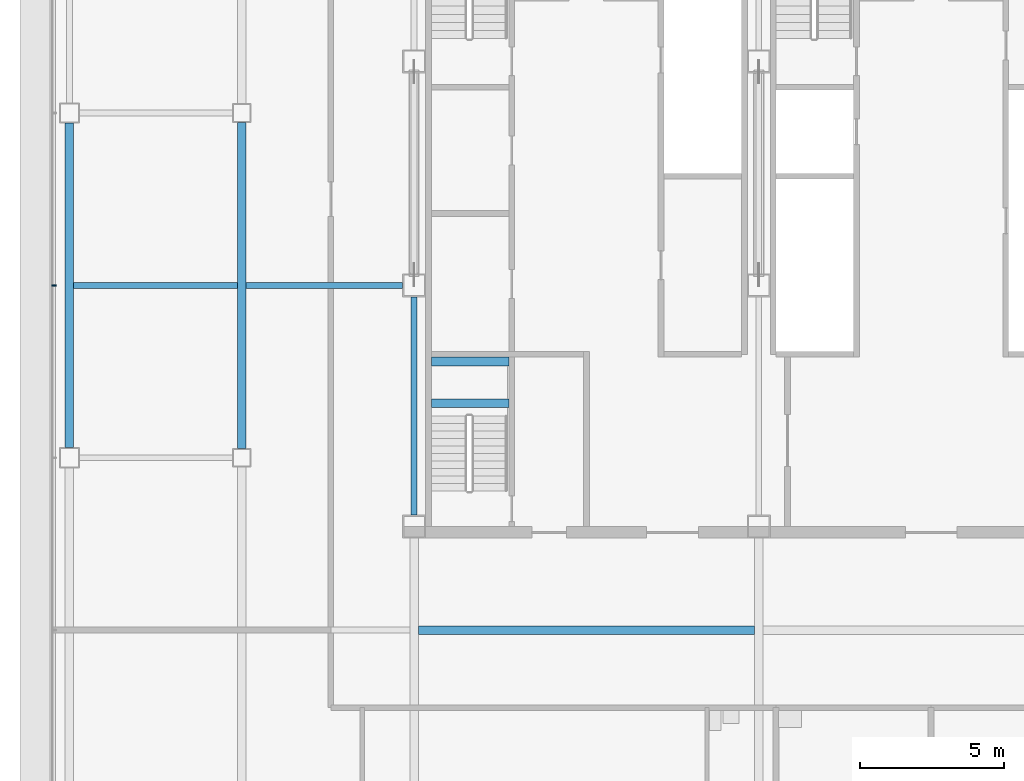
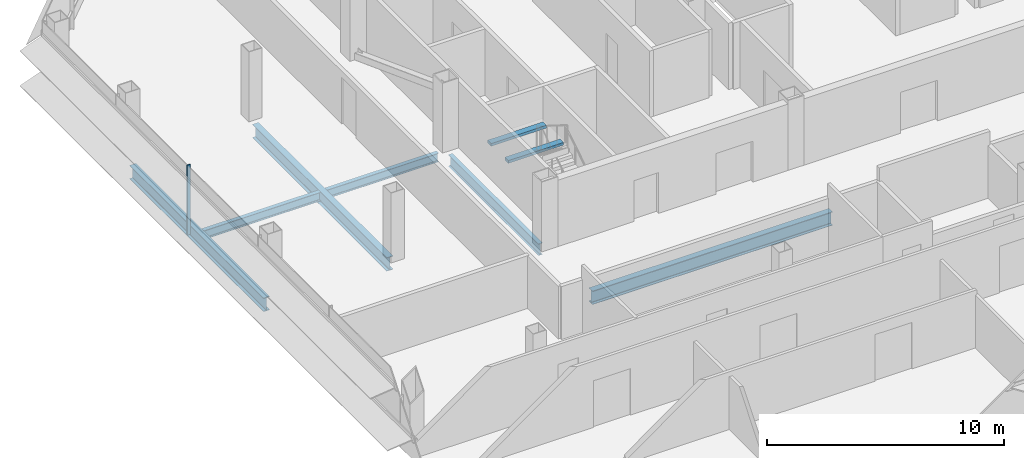
# One storey, part 6 of 24: 8 beams, 1 member, 1 element without a shape of its own.
"""IFC4 building model written with IfcOpenShell, lengths in metres."""

from ifc_helpers import new_model, si_unit, direction, frame, origin, origin_2d, place, context, subcontext, project, spatial, rectangle, i_section, extrude, material, material_profile, profile_set, type_object, element, aggregate, save


model = new_model("IFC4")

# Units and contexts
model_context = context("Model", 3, precision=1e-05, world=origin(), true_north=direction((0.0, 1.0)))
body_context = subcontext(model_context, "Body", "Model", "MODEL_VIEW")
ifc_project = project(units=[si_unit("LENGTHUNIT", "METRE"), si_unit("AREAUNIT", "SQUARE_METRE"), si_unit("VOLUMEUNIT", "CUBIC_METRE"), si_unit("PLANEANGLEUNIT", "RADIAN"), si_unit("MASSUNIT", "GRAM", prefix="KILO")], contexts=[model_context])

# Site, building, storey
site_placement = place(None, origin())
site = spatial("IfcSite", under=ifc_project, at=site_placement, CompositionType="ELEMENT")
building_placement = place(site_placement, origin())
building = spatial("IfcBuilding", under=site, at=building_placement, Name="Sorahane Residences", CompositionType="ELEMENT")
storey_placement = place(building_placement, frame((0.0, 0.0, 170.800048828125)))
storey = spatial("IfcBuildingStorey", under=building, at=storey_placement, Name="L39", CompositionType="ELEMENT", Elevation=170.800048828125)

# Curtain wall, member
ifc_material_1 = material(Name="Dark low-e glass and black anodised aluminium", Category="aluminium")
curtain_wall_type = type_object("IfcCurtainWallType", Name="Curtain wall CW-1 Typical unitised wall", PredefinedType="NOTDEFINED", material=ifc_material_1)
curtain_wall_placement = place(storey_placement, origin())
curtain_wall = element("IfcCurtainWall", 1, at=curtain_wall_placement, inside=storey, type_object=curtain_wall_type, Name="CW-1 curtain wall L39 W1", PredefinedType="NOTDEFINED")
ifc_material_2 = material(Name="Black anodised aluminium", Category="aluminium")
ifc_material_profile_1 = material_profile(ifc_material_2, rectangle(XDim=0.159912109375, YDim=0.050048828125, at=origin_2d()), Name="Curtain wall mullion CW-1 black anodised aluminium 50x160")
ifc_profile_set_1 = profile_set([ifc_material_profile_1], Name="Black anodised aluminium")
member_type = type_object("IfcMemberType", Name="Curtain wall mullion CW-1 black anodised aluminium 50x160", PredefinedType="MULLION", material=ifc_profile_set_1)
member_placement = place(storey_placement, frame((-6.5400390625, 30.0, -0.179931640625), z_axis=(0.0, 0.0, 1.0), x_axis=(-1.0, 0.0, 0.0)))
member = element("IfcMember", 2, at=member_placement, type_object=member_type, Name="CW-1 mullion L39 W1.3", PredefinedType="MULLION", context=body_context, shape_type="SweptSolid", body=[
    extrude(rectangle(XDim=0.159912109375, YDim=0.050048828125, at=origin_2d()), origin(), (0.0, 0.0, 1.0), 3.599853515625),
])
aggregate(curtain_wall, [member])

# Beams
ifc_material_3 = material(Name="Concrete C40", Category="concrete")
ifc_material_profile_2 = material_profile(ifc_material_3, rectangle(XDim=0.300048828125, YDim=0.139892578125, at=origin_2d()), Name="300x140")
ifc_profile_set_2 = profile_set([ifc_material_profile_2], Name="Concrete C40")
beam_type_1 = type_object("IfcBeamType", Name="RC landing beam 300 x 140 Concrete C40", PredefinedType="BEAM", material=ifc_profile_set_2)
for number, where, z_axis, x_axis, name in (
    (3, (6.60009765625, 25.89990234375, 1.530029296875), (1.0, 0.0, 0.0), (0.0, 1.0, 0.0), "Landing beam"),
    (4, (6.60009765625, 27.35009765625, 1.530029296875), (1.0, 0.0, 0.0), (0.0, 1.0, 0.0), "Landing beam"),
):
    element("IfcBeam", number, at=place(storey_placement, frame(where, z_axis=z_axis, x_axis=x_axis)), inside=storey, type_object=beam_type_1, Name=name, PredefinedType="BEAM", context=body_context, shape_type="SweptSolid", body=[
        extrude(rectangle(XDim=0.300048828125, YDim=0.139892578125, at=origin_2d()), origin(), (0.0, 0.0, 1.0), 2.699951171875),
    ])
ifc_material_4 = material(Name="Steel Q355B", Category="steel")
ifc_material_profile_3 = material_profile(ifc_material_4, i_section(OverallWidth=0.199951171875, OverallDepth=0.449951171875, WebThickness=0.009033203125, FlangeThickness=0.013916015625, FilletRadius=0.02001953125, at=origin_2d()), Name="HN 450x200x9x14")
ifc_profile_set_3 = profile_set([ifc_material_profile_3], Name="Steel Q355B")
beam_type_2 = type_object("IfcBeamType", Name="Steel floor beam HN 450x200x9x14 Q355B", PredefinedType="BEAM", material=ifc_profile_set_3)
beam_1_placement = place(storey_placement, frame((-5.85009765625, 30.0, -0.405029296875), z_axis=(1.0, 0.0, 0.0), x_axis=(0.0, 1.0, 0.0)))
element("IfcBeam", 5, at=beam_1_placement, inside=storey, type_object=beam_type_2, Name="Beam L39 085", PredefinedType="BEAM", context=body_context, shape_type="SweptSolid", body=[
    extrude(i_section(OverallWidth=0.199951171875, OverallDepth=0.449951171875, WebThickness=0.009033203125, FlangeThickness=0.013916015625, FilletRadius=0.02001953125, at=origin_2d()), origin(), (0.0, 0.0, 1.0), 5.7001953125),
])
beam_2_placement = place(storey_placement, frame((0.14990234375, 30.0, -0.405029296875), z_axis=(1.0, 0.0, 0.0), x_axis=(0.0, 1.0, 0.0)))
element("IfcBeam", 6, at=beam_2_placement, inside=storey, type_object=beam_type_2, Name="Beam L39 086", PredefinedType="BEAM", context=body_context, shape_type="SweptSolid", body=[
    extrude(i_section(OverallWidth=0.199951171875, OverallDepth=0.449951171875, WebThickness=0.009033203125, FlangeThickness=0.013916015625, FilletRadius=0.02001953125, at=origin_2d()), origin(), (0.0, 0.0, 1.0), 5.4501953125),
])
ifc_material_5 = material(Name="Steel Q355B", Category="steel")
ifc_material_profile_4 = material_profile(ifc_material_5, i_section(OverallWidth=0.199951171875, OverallDepth=0.60009765625, WebThickness=0.010986328125, FlangeThickness=0.01708984375, FilletRadius=0.02392578125, at=origin_2d()), Name="HN 600x200x11x17")
ifc_profile_set_4 = profile_set([ifc_material_profile_4], Name="Steel Q355B")
beam_type_3 = type_object("IfcBeamType", Name="Steel floor beam HN 600x200x11x17 Q355B", PredefinedType="BEAM", material=ifc_profile_set_4)
beam_3_placement = place(storey_placement, frame((6.0, 22.0, -0.47998046875), z_axis=(0.0, 1.0, 0.0), x_axis=(-1.0, 0.0, 0.0)))
element("IfcBeam", 7, at=beam_3_placement, inside=storey, type_object=beam_type_3, Name="Beam L39 030", PredefinedType="BEAM", context=body_context, shape_type="SweptSolid", body=[
    extrude(i_section(OverallWidth=0.199951171875, OverallDepth=0.60009765625, WebThickness=0.010986328125, FlangeThickness=0.01708984375, FilletRadius=0.02392578125, at=origin_2d()), origin(), (0.0, 0.0, 1.0), 7.60009765625),
])
ifc_material_6 = material(Name="Steel Q355B", Category="steel")
ifc_material_profile_5 = material_profile(ifc_material_6, i_section(OverallWidth=0.300048828125, OverallDepth=0.699951171875, WebThickness=0.012939453125, FlangeThickness=0.02392578125, FilletRadius=0.028076171875, at=origin_2d()), Name="HN 700x300x13x24")
ifc_profile_set_5 = profile_set([ifc_material_profile_5], Name="Steel Q355B")
beam_type_4 = type_object("IfcBeamType", Name="Steel floor beam HN 700x300x13x24 Q355B", PredefinedType="BEAM", material=ifc_profile_set_5)
beam_4_placement = place(storey_placement, frame((-6.0, 24.35009765625, -0.530029296875), z_axis=(0.0, 1.0, 0.0), x_axis=(-1.0, 0.0, 0.0)))
element("IfcBeam", 8, at=beam_4_placement, inside=storey, type_object=beam_type_4, Name="Beam L39 022", PredefinedType="BEAM", context=body_context, shape_type="SweptSolid", body=[
    extrude(i_section(OverallWidth=0.300048828125, OverallDepth=0.699951171875, WebThickness=0.012939453125, FlangeThickness=0.02392578125, FilletRadius=0.028076171875, at=origin_2d()), origin(), (0.0, 0.0, 1.0), 11.2998046875),
])
beam_5_placement = place(storey_placement, frame((0.0, 24.324951171875, -0.530029296875), z_axis=(0.0, 1.0, 0.0), x_axis=(-1.0, 0.0, 0.0)))
element("IfcBeam", 9, at=beam_5_placement, inside=storey, type_object=beam_type_4, Name="Beam L39 026", PredefinedType="BEAM", context=body_context, shape_type="SweptSolid", body=[
    extrude(i_section(OverallWidth=0.300048828125, OverallDepth=0.699951171875, WebThickness=0.012939453125, FlangeThickness=0.02392578125, FilletRadius=0.028076171875, at=origin_2d()), origin(), (0.0, 0.0, 1.0), 11.35009765625),
])
beam_6_placement = place(storey_placement, frame((6.14990234375, 18.0, -0.530029296875), z_axis=(1.0, 0.0, 0.0), x_axis=(0.0, 1.0, 0.0)))
element("IfcBeam", 10, at=beam_6_placement, inside=storey, type_object=beam_type_4, Name="Beam L39 080", PredefinedType="BEAM", context=body_context, shape_type="SweptSolid", body=[
    extrude(i_section(OverallWidth=0.300048828125, OverallDepth=0.699951171875, WebThickness=0.012939453125, FlangeThickness=0.02392578125, FilletRadius=0.028076171875, at=origin_2d()), origin(), (0.0, 0.0, 1.0), 11.7001953125),
])

save(model, "model.ifc")
